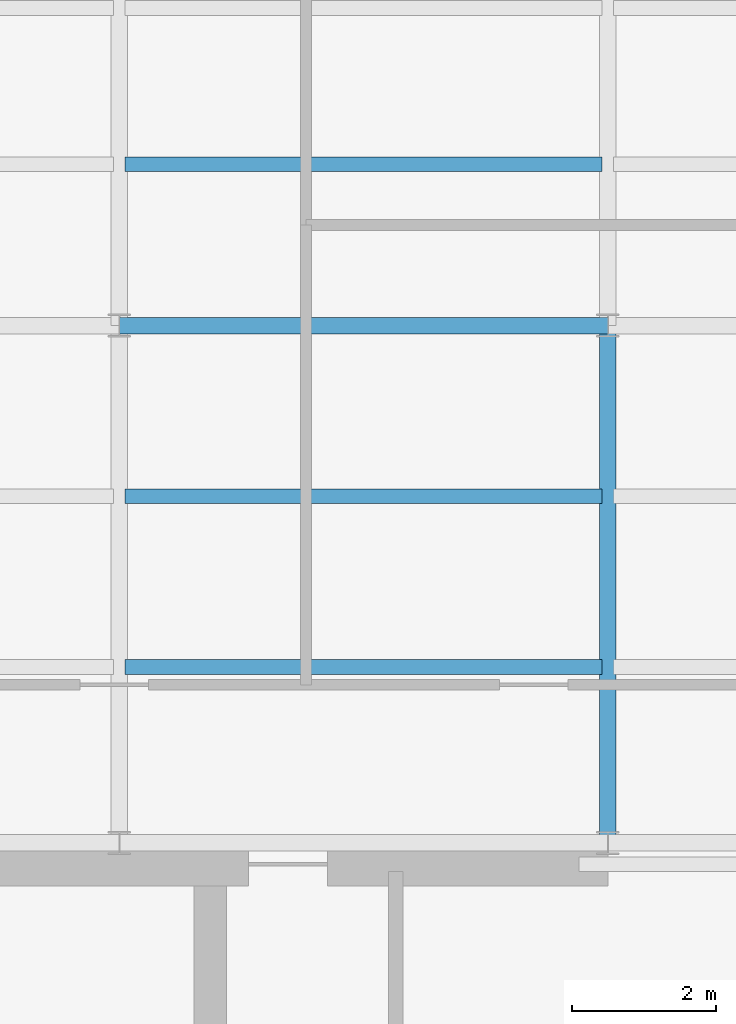
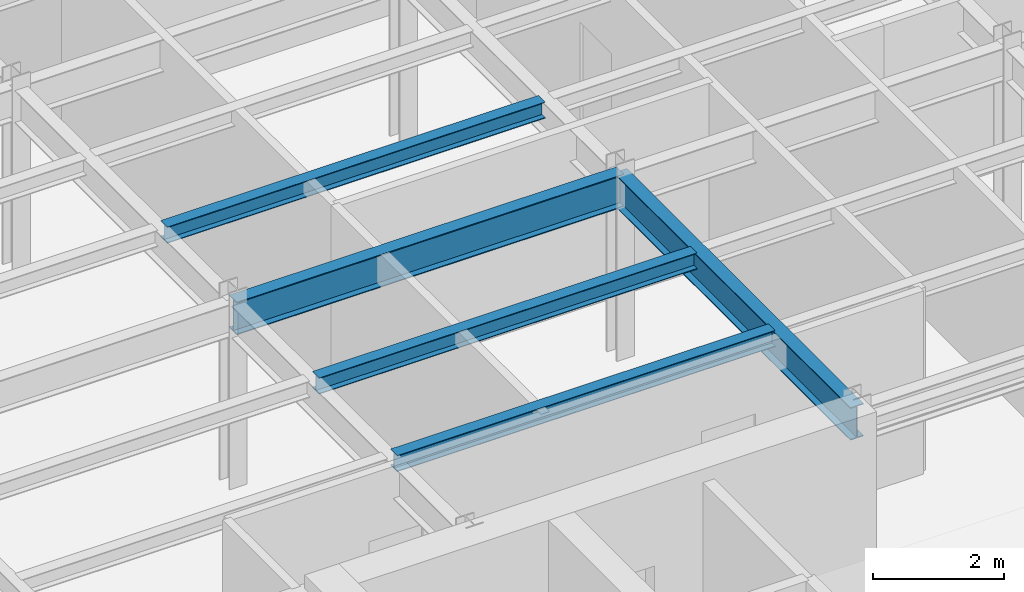
# One storey, part 6 of 22: 5 beams.
"""IFC4 building model written with IfcOpenShell, lengths in metres."""

import ifcopenshell
import ifcopenshell.guid

model = None  # the IFC model being written
_history = None  # IfcOwnerHistory: only IFC2X3 demands one
_inside = {}  # id of a spatial element -> (the spatial element, [elements in it])
_under = {}  # id of a project, library or spatial element -> (it, [spatial elements below it])
_declared = {}  # id of a project -> (the project, [libraries it declares])
_typed = {}  # id of a type object -> (the type object, [elements of that type])
_made_of = {}  # id of a material, layer set ... -> (it, [elements and type objects made of it])


def new_model(schema):
    """Start an empty IFC model of exactly this schema.

    Asked for "IFC4X3", IfcOpenShell would pick the latest addendum, in which some entities
    have other attributes; the version numbers below select the first issue.
    IFC2X3 requires an IfcOwnerHistory on every rooted entity: one is made here for all.
    """
    global model, _history
    if schema == "IFC4X3":
        model = ifcopenshell.file(schema_version=(4, 3, 0, 0))
    else:
        model = ifcopenshell.file(schema=schema)
    _inside.clear()
    _under.clear()
    _declared.clear()
    _typed.clear()
    _made_of.clear()
    _history = None
    if model.schema == "IFC2X3":
        org = make("IfcOrganization", Name="unknown")
        user = make(
            "IfcPersonAndOrganization",
            ThePerson=make("IfcPerson", FamilyName="unknown"),
            TheOrganization=org,
        )
        app = make(
            "IfcApplication",
            ApplicationDeveloper=org,
            Version="unknown",
            ApplicationFullName="unknown",
            ApplicationIdentifier="unknown",
        )
        _history = make(
            "IfcOwnerHistory",
            OwningUser=user,
            OwningApplication=app,
            ChangeAction="ADDED",
            CreationDate=0,
        )
    return model


def make(cls, **values):
    """One entity of the class cls with the attributes given. An attribute that is None is left unset."""
    return model.create_entity(
        cls, **{name: value for name, value in values.items() if value is not None}
    )


def rooted(cls, **values):
    """An entity with a GlobalId (a new one), such as an element, a storey or a relation."""
    return make(cls, GlobalId=ifcopenshell.guid.new(), OwnerHistory=_history, **values)


def si_unit(unit_type, name, prefix=None):
    """IfcSIUnit, for example si_unit("LENGTHUNIT", "METRE", prefix="MILLI")."""
    return make("IfcSIUnit", UnitType=unit_type, Prefix=prefix, Name=name)


def derived_unit(unit_type, elements):
    """IfcDerivedUnit: a product of units, each with its exponent."""
    return make(
        "IfcDerivedUnit",
        Elements=[
            make("IfcDerivedUnitElement", Unit=unit, Exponent=power)
            for unit, power in elements
        ],
        UnitType=unit_type,
    )


def assignment(units):
    """IfcUnitAssignment: the units of a project."""
    return None if units is None else make("IfcUnitAssignment", Units=units)


def point(xyz):
    """IfcCartesianPoint."""
    return None if xyz is None else make("IfcCartesianPoint", Coordinates=xyz)


def direction(xyz):
    """IfcDirection."""
    return None if xyz is None else make("IfcDirection", DirectionRatios=xyz)


def frame(location, z_axis=None, x_axis=None):
    """IfcAxis2Placement3D, a coordinate frame: its origin and axes. An axis left out is left unset."""
    return make(
        "IfcAxis2Placement3D",
        Location=point(location),
        Axis=direction(z_axis),
        RefDirection=direction(x_axis),
    )


def frame_2d(location, x_axis=None):
    """IfcAxis2Placement2D, a coordinate frame in the plane: its origin and x axis."""
    return make(
        "IfcAxis2Placement2D", Location=point(location), RefDirection=direction(x_axis)
    )


def origin():
    """The frame at (0, 0, 0) with its axes left unset."""
    return frame((0.0, 0.0, 0.0))


def origin_2d():
    """The frame at (0, 0) in the plane with its x axis left unset."""
    return frame_2d((0.0, 0.0))


def place(relative_to, where):
    """IfcLocalPlacement: puts the frame where relative to a parent placement (None: the world)."""
    return make(
        "IfcLocalPlacement", PlacementRelTo=relative_to, RelativePlacement=where
    )


def context(
    kind, dimensions, precision=None, world=None, true_north=None, identifier=None
):
    """IfcGeometricRepresentationContext, for example the 3D "Model" context."""
    return make(
        "IfcGeometricRepresentationContext",
        ContextIdentifier=identifier,
        ContextType=kind,
        CoordinateSpaceDimension=dimensions,
        Precision=precision,
        WorldCoordinateSystem=world,
        TrueNorth=true_north,
    )


def subcontext(parent, identifier, kind, view, scale=None):
    """IfcGeometricRepresentationSubContext, for example "Body" below "Model"."""
    return make(
        "IfcGeometricRepresentationSubContext",
        ContextIdentifier=identifier,
        ContextType=kind,
        ParentContext=parent,
        TargetScale=scale,
        TargetView=view,
    )


def project(units=None, contexts=None):
    """IfcProject with its units and contexts."""
    return rooted(
        "IfcProject",
        Name="project",
        RepresentationContexts=contexts,
        UnitsInContext=assignment(units),
    )


def spatial(cls, under=None, at=None, **own):
    """A site, building, storey or space (cls), placed at a placement, below another one or the project."""
    s = rooted(cls, ObjectPlacement=at, **own)
    if under is not None:
        _under.setdefault(under.id(), (under, []))[1].append(s)
    return s


def profile(cls, at=None, kind="AREA", **sizes):
    """A parametric profile (cls). Its sizes go by their IFC names, for example OverallWidth=200.0."""
    return make(cls, ProfileType=kind, Position=at, **sizes)


def i_section(**sizes):
    """IfcIShapeProfileDef."""
    return profile("IfcIShapeProfileDef", **sizes)


def extrude(swept, where, along, depth):
    """IfcExtrudedAreaSolid: the profile swept, set in the frame where, extruded along a direction by depth."""
    return make(
        "IfcExtrudedAreaSolid",
        SweptArea=swept,
        Position=where,
        ExtrudedDirection=direction(along),
        Depth=depth,
    )


def shape(context_of_items, identifier, shape_type, items):
    """IfcShapeRepresentation: the items that make up one representation, for example the "Body"."""
    return make(
        "IfcShapeRepresentation",
        ContextOfItems=context_of_items,
        RepresentationIdentifier=identifier,
        RepresentationType=shape_type,
        Items=items,
    )


def source(mapping_origin, context_of_items, identifier, shape_type, items):
    """IfcRepresentationMap: a shape defined once, which mapped items show again and again."""
    return make(
        "IfcRepresentationMap",
        MappingOrigin=mapping_origin,
        MappedRepresentation=shape(context_of_items, identifier, shape_type, items),
    )


def transform(
    local_origin,
    x_axis=None,
    y_axis=None,
    z_axis=None,
    scale=None,
    scale2=None,
    scale3=None,
    uniform=True,
):
    """IfcCartesianTransformationOperator3D, or its non-uniform kind. x_axis, y_axis, z_axis: its Axis1, 2, 3."""
    if uniform:
        return make(
            "IfcCartesianTransformationOperator3D",
            Axis1=direction(x_axis),
            Axis2=direction(y_axis),
            LocalOrigin=point(local_origin),
            Scale=scale,
            Axis3=direction(z_axis),
        )
    return make(
        "IfcCartesianTransformationOperator3DnonUniform",
        Axis1=direction(x_axis),
        Axis2=direction(y_axis),
        LocalOrigin=point(local_origin),
        Scale=scale,
        Axis3=direction(z_axis),
        Scale2=scale2,
        Scale3=scale3,
    )


def mapped(mapping_source, mapping_target):
    """IfcMappedItem: shows the shape of a source again, moved by a transform."""
    return make(
        "IfcMappedItem", MappingSource=mapping_source, MappingTarget=mapping_target
    )


def material(Name=None, Category=None):
    """IfcMaterial."""
    return make("IfcMaterial", Name=Name, Category=Category)


def material_profile(
    of_material, cross_section, Name=None, Category=None, Priority=None
):
    """IfcMaterialProfile: a cross section and its material."""
    return make(
        "IfcMaterialProfile",
        Name=Name,
        Material=of_material,
        Profile=cross_section,
        Priority=Priority,
        Category=Category,
    )


def profile_set(profiles, Name=None, composite=None):
    """IfcMaterialProfileSet."""
    return make(
        "IfcMaterialProfileSet",
        Name=Name,
        MaterialProfiles=profiles,
        CompositeProfile=composite,
    )


def made_of(thing, what):
    """Note that an element or type object is made of a material, layer set ...; save() writes the relation."""
    if what is not None:
        _made_of.setdefault(what.id(), (what, []))[1].append(thing)
    return thing


def type_object(cls, material=None, **own):
    """A type object (cls), such as IfcWallType, which elements share."""
    return made_of(rooted(cls, **own), material)


def element(
    cls,
    number,
    at=None,
    inside=None,
    cuts=None,
    type_object=None,
    material=None,
    context=None,
    identifier="Body",
    shape_type=None,
    held_by="IfcProductDefinitionShape",
    body=None,
    shapes=None,
    **own,
):
    """One element of the class cls, such as IfcWall. Its Tag is "e" and its number.

    at: its placement. inside: the storey or other place that contains it. cuts: it is an
    opening in that element (IfcRelVoidsElement). A single representation is given by context,
    identifier, shape_type and body (its items); several are given by shapes. held_by: the class
    of the entity that holds the representations. save() writes the other relations.
    """
    e = rooted(cls, Tag="e%d" % number, ObjectPlacement=at, **own)
    if body is not None:
        shapes = [shape(context, identifier, shape_type, body)]
    if shapes is not None:
        e.Representation = make(held_by, Representations=shapes)
    if inside is not None:
        _inside.setdefault(inside.id(), (inside, []))[1].append(e)
    if cuts is not None:
        rooted(
            "IfcRelVoidsElement", RelatingBuildingElement=cuts, RelatedOpeningElement=e
        )
    if type_object is not None:
        _typed.setdefault(type_object.id(), (type_object, []))[1].append(e)
    return made_of(e, material)


def aggregate(whole, parts):
    """IfcRelAggregates: a whole, such as a stair, and the parts it consists of."""
    return rooted("IfcRelAggregates", RelatingObject=whole, RelatedObjects=parts)


def save(model, path):
    """Write the relations noted so far, then the file.

    IfcRelAggregates (storeys below a building ...), IfcRelContainedInSpatialStructure (elements
    in a storey), IfcRelDefinesByType, IfcRelAssociatesMaterial and IfcRelDeclares: one each for
    every whole, place, type object, material and project.
    """
    for whole, parts in _under.values():
        aggregate(whole, parts)
    for where, things in _inside.values():
        rooted(
            "IfcRelContainedInSpatialStructure",
            RelatedElements=things,
            RelatingStructure=where,
        )
    for kind, things in _typed.values():
        rooted("IfcRelDefinesByType", RelatedObjects=things, RelatingType=kind)
    for what, things in _made_of.values():
        rooted("IfcRelAssociatesMaterial", RelatedObjects=things, RelatingMaterial=what)
    for by, libraries in _declared.values():
        rooted("IfcRelDeclares", RelatingContext=by, RelatedDefinitions=libraries)
    model.write(path)


model = new_model("IFC4")

# Units and contexts
model_context = context("Model", 3, precision=1e-05, world=origin(), true_north=direction((0.0, 1.0)))
body_context = subcontext(model_context, "Body", "Model", "MODEL_VIEW")
ifc_project = project(units=[si_unit("LENGTHUNIT", "METRE"), si_unit("AREAUNIT", "SQUARE_METRE"), si_unit("VOLUMEUNIT", "CUBIC_METRE"), si_unit("PLANEANGLEUNIT", "RADIAN"), si_unit("MASSUNIT", "GRAM", prefix="KILO"), derived_unit("THERMALTRANSMITTANCEUNIT", [(si_unit("POWERUNIT", "WATT"), 1), (si_unit("LENGTHUNIT", "METRE"), -2), (si_unit("THERMODYNAMICTEMPERATUREUNIT", "KELVIN"), -1)])], contexts=[model_context])

# Site, building, storey
site_placement = place(None, origin())
site = spatial("IfcSite", under=ifc_project, at=site_placement, CompositionType="ELEMENT")
building_placement = place(site_placement, origin())
building = spatial("IfcBuilding", under=site, at=building_placement, Name="Skarnbrae Concourse Arena and Tower", CompositionType="ELEMENT")
storey_placement = place(building_placement, frame((0.0, 0.0, 269.75)))
storey = spatial("IfcBuildingStorey", under=building, at=storey_placement, Name="L70", CompositionType="ELEMENT", Elevation=269.75)

# Beams
ifc_material = material(Name="Steel CSA G40.21 350W", Category="steel")
ifc_material_profile_1 = material_profile(ifc_material, i_section(OverallWidth=0.22802734375, OverallDepth=0.60791015625, WebThickness=0.01123046875, FlangeThickness=0.017333984375, at=origin_2d()), Name="W610X113")
ifc_profile_set_1 = profile_set([ifc_material_profile_1], Name="Steel CSA G40.21 350W")
beam_type_1 = type_object("IfcBeamType", Name="BM-GIRD-W610X113", PredefinedType="BEAM", material=ifc_profile_set_1)
shared_shape_1 = source(origin(), body_context, "Body", "SweptSolid", [
    extrude(i_section(OverallWidth=0.22802734375, OverallDepth=0.60791015625, WebThickness=0.01123046875, FlangeThickness=0.017333984375, at=origin_2d()), origin(), (0.0, 0.0, 1.0), 6.7998046875),
])
beam_1_placement = place(storey_placement, frame((7.60009765625, 21.199951171875, 3.095947265625), z_axis=(1.0, 0.0, 0.0), x_axis=(0.0, 1.0, 0.0)))
element("IfcBeam", 1, at=beam_1_placement, inside=storey, type_object=beam_type_1, Name="L70 Primary E-W girder Y21.2-2", PredefinedType="BEAM", context=body_context, shape_type="MappedRepresentation", body=[
    mapped(shared_shape_1, transform((0.0, 0.0, 0.0))),
])
shared_shape_2 = source(origin(), body_context, "Body", "SweptSolid", [
    extrude(i_section(OverallWidth=0.22802734375, OverallDepth=0.60791015625, WebThickness=0.01123046875, FlangeThickness=0.017333984375, at=origin_2d()), origin(), (0.0, 0.0, 1.0), 7.199951171875),
])
beam_2_placement = place(storey_placement, frame((14.39990234375, 14.0, 3.095947265625), z_axis=(0.0, 1.0, 0.0), x_axis=(-1.0, 0.0, 0.0)))
element("IfcBeam", 2, at=beam_2_placement, inside=storey, type_object=beam_type_1, Name="L70 Primary N-S girder X14.4-1", PredefinedType="BEAM", context=body_context, shape_type="MappedRepresentation", body=[
    mapped(shared_shape_2, transform((0.0, 0.0, 0.0))),
])
ifc_material_profile_2 = material_profile(ifc_material, i_section(OverallWidth=0.202880859375, OverallDepth=0.302978515625, WebThickness=0.007568359375, FlangeThickness=0.01318359375, at=origin_2d()), Name="W310X60")
ifc_profile_set_2 = profile_set([ifc_material_profile_2], Name="Steel CSA G40.21 350W")
beam_type_2 = type_object("IfcBeamType", Name="BM-JOIST-W310X60", PredefinedType="JOIST", material=ifc_profile_set_2)
shared_shape_3 = source(origin(), body_context, "Body", "SweptSolid", [
    extrude(i_section(OverallWidth=0.202880859375, OverallDepth=0.302978515625, WebThickness=0.007568359375, FlangeThickness=0.01318359375, at=origin_2d()), origin(), (0.0, 0.0, 1.0), 6.64013671875),
])
for number, where, z_axis, x_axis, name in (
    (3, (7.679931640625, 16.447998046875, 3.24853515625), (1.0, 0.0, 0.0), (0.0, 1.0, 0.0), "L70 Secondary floor joist 1.1.2"),
    (4, (7.679931640625, 18.823974609375, 3.24853515625), (1.0, 0.0, 0.0), (0.0, 1.0, 0.0), "L70 Secondary floor joist 1.2.2"),
    (5, (7.679931640625, 23.444091796875, 3.24853515625), (1.0, 0.0, 0.0), (0.0, 1.0, 0.0), "L70 Secondary floor joist 2.1.2"),
):
    element("IfcBeam", number, at=place(storey_placement, frame(where, z_axis=z_axis, x_axis=x_axis)), inside=storey, type_object=beam_type_2, Name=name, PredefinedType="JOIST", context=body_context, shape_type="MappedRepresentation", body=[
        mapped(shared_shape_3, transform((0.0, 0.0, 0.0))),
    ])

save(model, "model.ifc")
